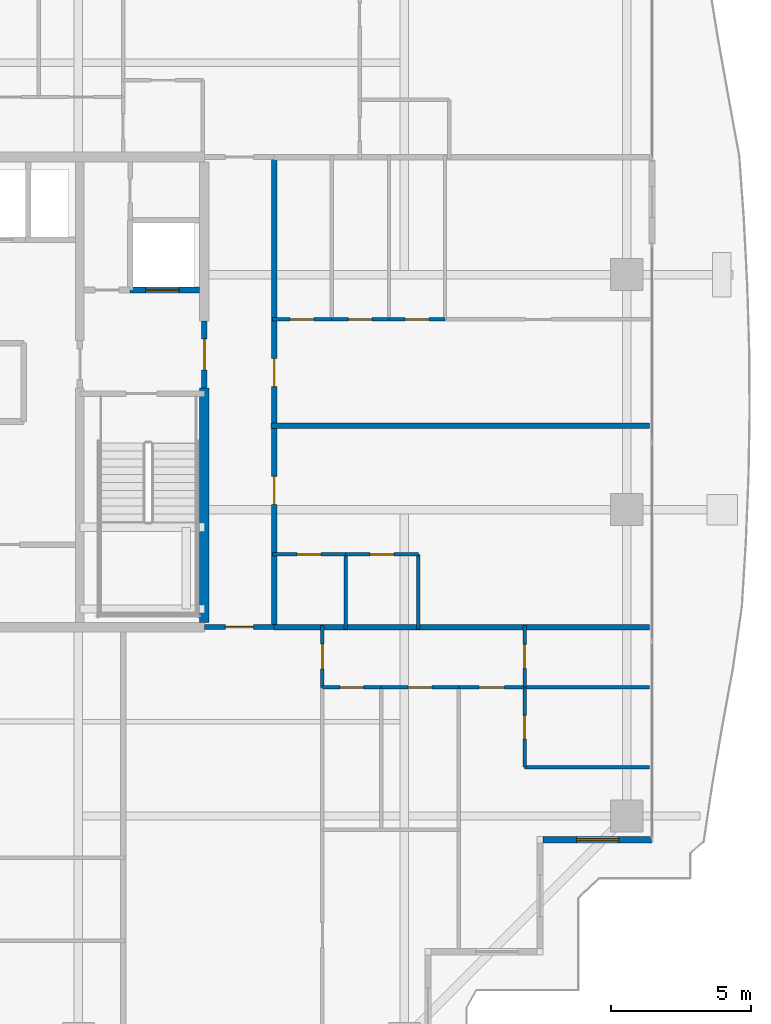
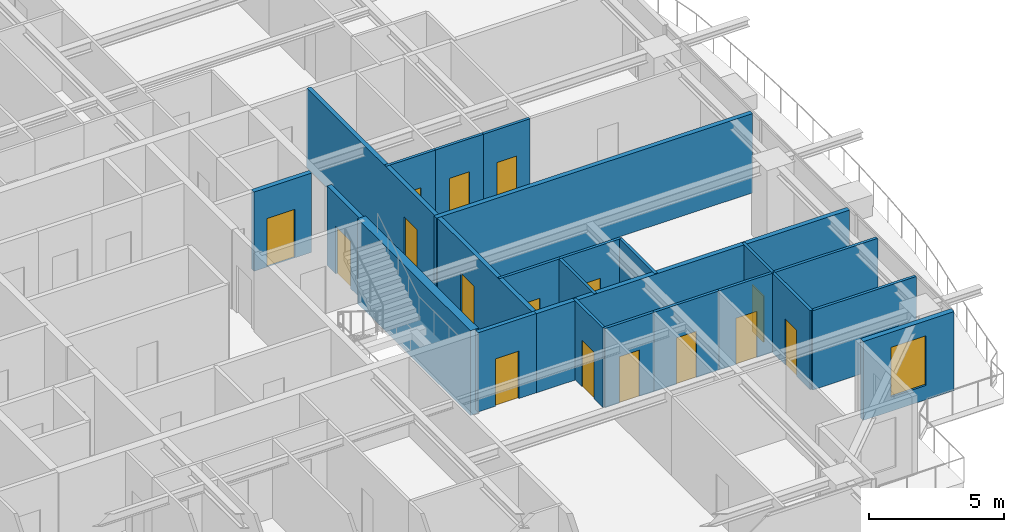
# One storey, part 28 of 38: 23 walls, 16 doors, 1 window, 17 openings.
"""IFC4 building model written with IfcOpenShell, lengths in metres."""

from ifc_helpers import new_model, si_unit, direction, frame, frame_2d, origin, place, context, subcontext, project, spatial, rectangle, extrude, source, transform, mapped, material, layer, layer_set, type_object, element, fill, save


model = new_model("IFC4")

# Units and contexts
model_context = context("Model", 3, precision=1e-05, world=origin(), true_north=direction((0.0, 1.0)))
body_context = subcontext(model_context, "Body", "Model", "MODEL_VIEW")
ifc_project = project(units=[si_unit("LENGTHUNIT", "METRE"), si_unit("AREAUNIT", "SQUARE_METRE"), si_unit("VOLUMEUNIT", "CUBIC_METRE"), si_unit("PLANEANGLEUNIT", "RADIAN"), si_unit("MASSUNIT", "GRAM", prefix="KILO")], contexts=[model_context])

# Site, building, storey
site_placement = place(None, origin())
site = spatial("IfcSite", under=ifc_project, at=site_placement, CompositionType="ELEMENT")
building_placement = place(site_placement, origin())
building = spatial("IfcBuilding", under=site, at=building_placement, Name="Serunith Strait Residences", CompositionType="ELEMENT")
storey_placement = place(building_placement, frame((0.0, 0.0, 229.699951171875)))
storey = spatial("IfcBuildingStorey", under=building, at=storey_placement, Name="L57", CompositionType="ELEMENT", Elevation=229.699951171875)

# Wall, opening, window
ifc_material_1 = material(Name="Pale-Champagne Aluminium Insulated Panel", Category="aluminium")
ifc_layer_1 = layer(ifc_material_1, 0.219970703125, Name="Pale-Champagne Aluminium Insulated Panel")
ifc_layer_set_1 = layer_set([ifc_layer_1], Name="Pale-Champagne Aluminium Insulated Panel")
wall_type_1 = type_object("IfcWallType", Name="EW-ALUM-220", PredefinedType="ELEMENTEDWALL", material=ifc_layer_set_1)
wall_1_placement = place(storey_placement, frame((53.510009765625, 9.199951171875, 0.0), z_axis=(0.0, 0.0, 1.0), x_axis=(1.0, 0.0, 0.0)))
wall_1 = element("IfcWall", 1, at=wall_1_placement, inside=storey, type_object=wall_type_1, Name="L57 Girih Serrated Corner Wall 05", PredefinedType="ELEMENTEDWALL", context=body_context, shape_type="SweptSolid", body=[
    extrude(rectangle(XDim=3.889892578125, YDim=0.219970703125, at=frame_2d((1.94482421875, 0.0))), origin(), (0.0, 0.0, 1.0), 3.574951171875),
])
opening_1_placement = place(wall_1_placement, frame((1.195068359375, 0.0, 0.64990234375)))
opening_1 = element("IfcOpeningElement", 2, at=opening_1_placement, cuts=wall_1, Name="Opening W-05", PredefinedType="OPENING", context=body_context, shape_type="SweptSolid", body=[
    extrude(rectangle(XDim=1.5, YDim=2.25, at=frame_2d((0.75, 1.125))), frame((0.0, 0.1201171875, 0.0), z_axis=(0.0, -1.0, 0.0), x_axis=(1.0, 0.0, 0.0)), (0.0, 0.0, 1.0), 0.239990234375),
])
ifc_material_2 = material(Name="Ceramic-Fritted Operable Aluminium Window Glass", Category="aluminium")
window_type = type_object("IfcWindowType", Name="WIN-C5", PartitioningType="DOUBLE_PANEL_VERTICAL", PredefinedType="WINDOW", material=ifc_material_2)
shared_shape_1 = source(origin(), body_context, "Body", "SweptSolid", [
    extrude(rectangle(XDim=1.5, YDim=2.25, at=frame_2d((0.75, 1.125))), frame((0.0, 0.030029296875, 0.0), z_axis=(0.0, -1.0, 0.0), x_axis=(1.0, 0.0, 0.0)), (0.0, 0.0, 1.0), 0.06005859375),
])
window_placement = place(opening_1_placement, origin())
window = element("IfcWindow", 3, at=window_placement, inside=storey, type_object=window_type, Name="L57 Corner Operable Fritted Window 05", OverallHeight=2.25, OverallWidth=1.5, PartitioningType="SINGLE_PANEL", PredefinedType="WINDOW", context=body_context, shape_type="MappedRepresentation", body=[
    mapped(shared_shape_1, transform((0.0, 0.0, 0.0), scale=1.0)),
])
fill(opening_1, window)

# Wall, opening, door
ifc_material_3 = material(Name="Fire-rated acoustic gypsum partition")
ifc_layer_2 = layer(ifc_material_3, 0.179931640625, Name="Fire-rated acoustic gypsum partition")
ifc_layer_set_2 = layer_set([ifc_layer_2], Name="Fire-rated acoustic gypsum partition")
wall_type_2 = type_object("IfcWallType", Name="IW-CORR-180", PredefinedType="PARTITIONING", material=ifc_layer_set_2)
wall_2_placement = place(storey_placement, frame((41.402099609375, 16.800048828125, 0.0), z_axis=(0.0, 0.0, 1.0), x_axis=(1.0, 0.0, 0.0)))
wall_2 = element("IfcWall", 4, at=wall_2_placement, inside=storey, type_object=wall_type_2, Name="L57 Partition Wall 029", PredefinedType="PARTITIONING", context=body_context, shape_type="SweptSolid", body=[
    extrude(rectangle(XDim=2.495849609375, YDim=0.179931640625, at=frame_2d((1.248046875, 0.0))), origin(), (0.0, 0.0, 1.0), 3.590087890625),
])
opening_2_placement = place(wall_2_placement, frame((0.748046875, 0.0, 0.0)))
opening_2 = element("IfcOpeningElement", 5, at=opening_2_placement, cuts=wall_2, Name="Opening D-APT1000", PredefinedType="OPENING", context=body_context, shape_type="SweptSolid", body=[
    extrude(rectangle(XDim=1.0, YDim=2.14990234375, at=frame_2d((0.5, 1.074951171875))), frame((0.0, 0.10009765625, 0.0), z_axis=(0.0, -1.0, 0.0), x_axis=(1.0, 0.0, 0.0)), (0.0, 0.0, 1.0), 0.199951171875),
])
ifc_material_4 = material(Name="Solid timber engineered fire door", Category="wood")
door_type_1 = type_object("IfcDoorType", Name="ID-APT-1000", OperationType="NOTDEFINED", PredefinedType="DOOR", material=ifc_material_4)
shared_shape_2 = source(origin(), body_context, "Body", "SweptSolid", [
    extrude(rectangle(XDim=1.0, YDim=2.14990234375, at=frame_2d((0.5, 1.074951171875))), frame((0.0, 0.02490234375, 0.0), z_axis=(0.0, -1.0, 0.0), x_axis=(1.0, 0.0, 0.0)), (0.0, 0.0, 1.0), 0.050048828125),
])
door_1_placement = place(opening_2_placement, origin())
door_1 = element("IfcDoor", 6, at=door_1_placement, inside=storey, type_object=door_type_1, Name="L57 Unit 02 Entrance Door", OperationType="SINGLE_SWING_LEFT", OverallHeight=2.14990234375, OverallWidth=1.0, PredefinedType="DOOR", context=body_context, shape_type="MappedRepresentation", body=[
    mapped(shared_shape_2, transform((0.0, 0.0, 0.0), scale=1.0)),
])
fill(opening_2, door_1)

# Wall, openings, doors
wall_3_placement = place(storey_placement, frame((43.89990234375, 16.800048828125, 0.0), z_axis=(0.0, 0.0, 1.0), x_axis=(0.0, 1.0, 0.0)))
wall_3 = element("IfcWall", 7, at=wall_3_placement, inside=storey, type_object=wall_type_2, Name="L57 Partition Wall 031", PredefinedType="PARTITIONING", context=body_context, shape_type="SweptSolid", body=[
    extrude(rectangle(XDim=16.800048828125, YDim=0.179931640625, at=frame_2d((8.39990234375, 0.0))), origin(), (0.0, 0.0, 1.0), 3.590087890625),
])
opening_3_placement = place(wall_3_placement, frame((4.39208984375, 0.0, 0.0)))
opening_3 = element("IfcOpeningElement", 8, at=opening_3_placement, cuts=wall_3, Name="Opening D-APT1000", PredefinedType="OPENING", context=body_context, shape_type="SweptSolid", body=[
    extrude(rectangle(XDim=1.0, YDim=2.14990234375, at=frame_2d((0.5, 1.074951171875))), frame((0.0, 0.10009765625, 0.0), z_axis=(0.0, -1.0, 0.0), x_axis=(1.0, 0.0, 0.0)), (0.0, 0.0, 1.0), 0.199951171875),
])
opening_4_placement = place(wall_3_placement, frame((8.594970703125, 0.0, 0.0)))
opening_4 = element("IfcOpeningElement", 9, at=opening_4_placement, cuts=wall_3, Name="Opening D-APT1000", PredefinedType="OPENING", context=body_context, shape_type="SweptSolid", body=[
    extrude(rectangle(XDim=1.0, YDim=2.14990234375, at=frame_2d((0.5, 1.074951171875))), frame((0.0, 0.10009765625, 0.0), z_axis=(0.0, -1.0, 0.0), x_axis=(1.0, 0.0, 0.0)), (0.0, 0.0, 1.0), 0.199951171875),
])
door_2_placement = place(opening_3_placement, origin())
door_2 = element("IfcDoor", 10, at=door_2_placement, inside=storey, type_object=door_type_1, Name="L57 Unit 07 Entrance Door", OperationType="SINGLE_SWING_LEFT", OverallHeight=2.14990234375, OverallWidth=1.0, PredefinedType="DOOR", context=body_context, shape_type="MappedRepresentation", body=[
    mapped(shared_shape_2, transform((0.0, 0.0, 0.0), scale=1.0)),
])
fill(opening_3, door_2)
door_3_placement = place(opening_4_placement, origin())
door_3 = element("IfcDoor", 11, at=door_3_placement, inside=storey, type_object=door_type_1, Name="L57 Unit 08 Entrance Door", OperationType="SINGLE_SWING_RIGHT", OverallHeight=2.14990234375, OverallWidth=1.0, PredefinedType="DOOR", context=body_context, shape_type="MappedRepresentation", body=[
    mapped(shared_shape_2, transform((0.0, 0.0, 0.0), scale=1.0)),
])
fill(opening_4, door_3)

# Wall, opening, door
ifc_material_5 = material(Name="Lightweight steel-stud gypsum partition", Category="steel")
ifc_layer_3 = layer(ifc_material_5, 0.1201171875, Name="Lightweight steel-stud gypsum partition")
ifc_layer_set_3 = layer_set([ifc_layer_3], Name="Lightweight steel-stud gypsum partition")
wall_type_3 = type_object("IfcWallType", Name="IW-PART-120", PredefinedType="PARTITIONING", material=ifc_layer_set_3)
wall_4_placement = place(storey_placement, frame((45.6201171875, 14.64990234375, 0.0), z_axis=(0.0, 0.0, 1.0), x_axis=(0.0, 1.0, 0.0)))
wall_4 = element("IfcWall", 12, at=wall_4_placement, inside=storey, type_object=wall_type_3, Name="L57 Partition Wall 054", PredefinedType="PARTITIONING", context=body_context, shape_type="SweptSolid", body=[
    extrude(rectangle(XDim=2.210205078125, YDim=0.1201171875, at=frame_2d((1.10498046875, 0.0))), origin(), (0.0, 0.0, 1.0), 3.590087890625),
])
opening_5_placement = place(wall_4_placement, frame((0.655029296875, 0.0, 0.0)))
opening_5 = element("IfcOpeningElement", 13, at=opening_5_placement, cuts=wall_4, Name="Opening D-RM900", PredefinedType="OPENING", context=body_context, shape_type="SweptSolid", body=[
    extrude(rectangle(XDim=0.89990234375, YDim=2.10009765625, at=frame_2d((0.449951171875, 1.050048828125))), frame((0.0, 0.070068359375, 0.0), z_axis=(0.0, -1.0, 0.0), x_axis=(1.0, 0.0, 0.0)), (0.0, 0.0, 1.0), 0.14013671875),
])
ifc_material_6 = material(Name="Engineered timber flush bedroom door", Category="wood")
door_type_2 = type_object("IfcDoorType", Name="ID-ROOM-900", OperationType="NOTDEFINED", PredefinedType="DOOR", material=ifc_material_6)
shared_shape_3 = source(origin(), body_context, "Body", "SweptSolid", [
    extrude(rectangle(XDim=0.89990234375, YDim=2.10009765625, at=frame_2d((0.449951171875, 1.050048828125))), frame((0.0, 0.02490234375, 0.0), z_axis=(0.0, -1.0, 0.0), x_axis=(1.0, 0.0, 0.0)), (0.0, 0.0, 1.0), 0.050048828125),
])
door_4_placement = place(opening_5_placement, origin())
door_4 = element("IfcDoor", 14, at=door_4_placement, inside=storey, type_object=door_type_2, Name="L57 Hall E 5702 Door", OperationType="SINGLE_SWING_RIGHT", OverallHeight=2.10009765625, OverallWidth=0.89990234375, PredefinedType="DOOR", context=body_context, shape_type="MappedRepresentation", body=[
    mapped(shared_shape_3, transform((0.0, 0.0, 0.0), scale=1.0)),
])
fill(opening_5, door_4)

wall_5_placement = place(storey_placement, frame((45.6201171875, 14.64990234375, 0.0), z_axis=(0.0, 0.0, 1.0), x_axis=(1.0, 0.0, 0.0)))
wall_5 = element("IfcWall", 15, at=wall_5_placement, inside=storey, type_object=wall_type_3, Name="L57 Partition Wall 060", PredefinedType="PARTITIONING", context=body_context, shape_type="SweptSolid", body=[
    extrude(rectangle(XDim=2.099853515625, YDim=0.1201171875, at=frame_2d((1.0498046875, 0.0))), origin(), (0.0, 0.0, 1.0), 3.590087890625),
])
opening_6_placement = place(wall_5_placement, frame((0.625, 0.0, 0.0)))
opening_6 = element("IfcOpeningElement", 16, at=opening_6_placement, cuts=wall_5, Name="Opening D-BTH850", PredefinedType="OPENING", context=body_context, shape_type="SweptSolid", body=[
    extrude(rectangle(XDim=0.85009765625, YDim=2.10009765625, at=frame_2d((0.425048828125, 1.050048828125))), frame((0.0, 0.070068359375, 0.0), z_axis=(0.0, -1.0, 0.0), x_axis=(1.0, 0.0, 0.0)), (0.0, 0.0, 1.0), 0.14013671875),
])
ifc_material_7 = material(Name="Moisture-resistant timber bathroom door", Category="wood")
door_type_3 = type_object("IfcDoorType", Name="ID-BATH-850", OperationType="NOTDEFINED", PredefinedType="DOOR", material=ifc_material_7)
shared_shape_4 = source(origin(), body_context, "Body", "SweptSolid", [
    extrude(rectangle(XDim=0.85009765625, YDim=2.10009765625, at=frame_2d((0.425048828125, 1.050048828125))), frame((0.0, 0.02490234375, 0.0), z_axis=(0.0, -1.0, 0.0), x_axis=(1.0, 0.0, 0.0)), (0.0, 0.0, 1.0), 0.050048828125),
])
door_5_placement = place(opening_6_placement, origin())
door_5 = element("IfcDoor", 17, at=door_5_placement, inside=storey, type_object=door_type_3, Name="L57 Bathroom 5702 Door", OperationType="SINGLE_SWING_RIGHT", OverallHeight=2.10009765625, OverallWidth=0.85009765625, PredefinedType="DOOR", context=body_context, shape_type="MappedRepresentation", body=[
    mapped(shared_shape_4, transform((0.0, 0.0, 0.0), scale=1.0)),
])
fill(opening_6, door_5)

wall_6_placement = place(storey_placement, frame((47.721923828125, 14.64990234375, 0.0), z_axis=(0.0, 0.0, 1.0), x_axis=(1.0, 0.0, 0.0)))
wall_6 = element("IfcWall", 18, at=wall_6_placement, inside=storey, type_object=wall_type_3, Name="L57 Partition Wall 061", PredefinedType="PARTITIONING", context=body_context, shape_type="SweptSolid", body=[
    extrude(rectangle(XDim=2.778076171875, YDim=0.1201171875, at=frame_2d((1.38916015625, 0.0))), origin(), (0.0, 0.0, 1.0), 3.590087890625),
])
opening_7_placement = place(wall_6_placement, frame((0.964111328125, 0.0, 0.0)))
opening_7 = element("IfcOpeningElement", 19, at=opening_7_placement, cuts=wall_6, Name="Opening D-RM850", PredefinedType="OPENING", context=body_context, shape_type="SweptSolid", body=[
    extrude(rectangle(XDim=0.85009765625, YDim=2.10009765625, at=frame_2d((0.425048828125, 1.050048828125))), frame((0.0, 0.070068359375, 0.0), z_axis=(0.0, -1.0, 0.0), x_axis=(1.0, 0.0, 0.0)), (0.0, 0.0, 1.0), 0.14013671875),
])
ifc_material_8 = material(Name="Engineered timber flush study and kitchen door", Category="wood")
door_type_4 = type_object("IfcDoorType", Name="ID-ROOM-850", OperationType="NOTDEFINED", PredefinedType="DOOR", material=ifc_material_8)
door_6_placement = place(opening_7_placement, origin())
door_6 = element("IfcDoor", 20, at=door_6_placement, inside=storey, type_object=door_type_4, Name="L57 Kitchen 5702 Door", OperationType="SINGLE_SWING_LEFT", OverallHeight=2.10009765625, OverallWidth=0.85009765625, PredefinedType="DOOR", context=body_context, shape_type="MappedRepresentation", body=[
    mapped(shared_shape_4, transform((0.0, 0.0, 0.0), scale=1.0)),
])
fill(opening_7, door_6)

wall_7_placement = place(storey_placement, frame((50.501953125, 14.64990234375, 0.0), z_axis=(0.0, 0.0, 1.0), x_axis=(1.0, 0.0, 0.0)))
wall_7 = element("IfcWall", 21, at=wall_7_placement, inside=storey, type_object=wall_type_3, Name="L57 Partition Wall 062", PredefinedType="PARTITIONING", context=body_context, shape_type="SweptSolid", body=[
    extrude(rectangle(XDim=2.34814453125, YDim=0.1201171875, at=frame_2d((1.174072265625, 0.0))), origin(), (0.0, 0.0, 1.0), 3.590087890625),
])
opening_8_placement = place(wall_7_placement, frame((0.72412109375, 0.0, 0.0)))
opening_8 = element("IfcOpeningElement", 22, at=opening_8_placement, cuts=wall_7, Name="Opening D-RM900", PredefinedType="OPENING", context=body_context, shape_type="SweptSolid", body=[
    extrude(rectangle(XDim=0.89990234375, YDim=2.10009765625, at=frame_2d((0.449951171875, 1.050048828125))), frame((0.0, 0.070068359375, 0.0), z_axis=(0.0, -1.0, 0.0), x_axis=(1.0, 0.0, 0.0)), (0.0, 0.0, 1.0), 0.14013671875),
])
door_7_placement = place(opening_8_placement, origin())
door_7 = element("IfcDoor", 23, at=door_7_placement, inside=storey, type_object=door_type_2, Name="L57 Master Bedroom E 5702 Door", OperationType="SINGLE_SWING_RIGHT", OverallHeight=2.10009765625, OverallWidth=0.89990234375, PredefinedType="DOOR", context=body_context, shape_type="MappedRepresentation", body=[
    mapped(shared_shape_3, transform((0.0, 0.0, 0.0), scale=1.0)),
])
fill(opening_8, door_7)

# Walls
wall_8_placement = place(storey_placement, frame((52.85009765625, 11.79296875, 0.0), z_axis=(0.0, 0.0, 1.0), x_axis=(1.0, 0.0, 0.0)))
element("IfcWall", 24, at=wall_8_placement, inside=storey, type_object=wall_type_3, Name="L57 Partition Wall 063", PredefinedType="PARTITIONING", context=body_context, shape_type="SweptSolid", body=[
    extrude(rectangle(XDim=4.454833984375, YDim=0.1201171875, at=frame_2d((2.2275390625, 0.0))), origin(), (0.0, 0.0, 1.0), 3.590087890625),
])
wall_9_placement = place(storey_placement, frame((52.85205078125, 14.64990234375, 0.0), z_axis=(0.0, 0.0, 1.0), x_axis=(1.0, 0.0, 0.0)))
element("IfcWall", 25, at=wall_9_placement, inside=storey, type_object=wall_type_3, Name="L57 Partition Wall 064", PredefinedType="PARTITIONING", context=body_context, shape_type="SweptSolid", body=[
    extrude(rectangle(XDim=4.452880859375, YDim=0.1201171875, at=frame_2d((2.2265625, 0.0))), origin(), (0.0, 0.0, 1.0), 3.590087890625),
])

# Wall, opening, door
wall_10_placement = place(storey_placement, frame((52.85009765625, 11.79296875, 0.0), z_axis=(0.0, 0.0, 1.0), x_axis=(0.0, 1.0, 0.0)))
wall_10 = element("IfcWall", 26, at=wall_10_placement, inside=storey, type_object=wall_type_3, Name="L57 Partition Wall 065", PredefinedType="PARTITIONING", context=body_context, shape_type="SweptSolid", body=[
    extrude(rectangle(XDim=2.85693359375, YDim=0.1201171875, at=frame_2d((1.428466796875, 0.0))), origin(), (0.0, 0.0, 1.0), 3.590087890625),
])
opening_9_placement = place(wall_10_placement, frame((1.00390625, 0.0, 0.0)))
opening_9 = element("IfcOpeningElement", 27, at=opening_9_placement, cuts=wall_10, Name="Opening D-BTH850", PredefinedType="OPENING", context=body_context, shape_type="SweptSolid", body=[
    extrude(rectangle(XDim=0.85009765625, YDim=2.10009765625, at=frame_2d((0.425048828125, 1.050048828125))), frame((0.0, 0.070068359375, 0.0), z_axis=(0.0, -1.0, 0.0), x_axis=(1.0, 0.0, 0.0)), (0.0, 0.0, 1.0), 0.14013671875),
])
door_8_placement = place(opening_9_placement, origin())
door_8 = element("IfcDoor", 28, at=door_8_placement, inside=storey, type_object=door_type_3, Name="L57 En-suite Bathroom E 5702 Door", OperationType="SINGLE_SWING_LEFT", OverallHeight=2.10009765625, OverallWidth=0.85009765625, PredefinedType="DOOR", context=body_context, shape_type="MappedRepresentation", body=[
    mapped(shared_shape_4, transform((0.0, 0.0, 0.0), scale=1.0)),
])
fill(opening_9, door_8)

wall_11_placement = place(storey_placement, frame((52.85009765625, 14.652099609375, 0.0), z_axis=(0.0, 0.0, 1.0), x_axis=(0.0, 1.0, 0.0)))
wall_11 = element("IfcWall", 29, at=wall_11_placement, inside=storey, type_object=wall_type_3, Name="L57 Partition Wall 066", PredefinedType="PARTITIONING", context=body_context, shape_type="SweptSolid", body=[
    extrude(rectangle(XDim=2.2080078125, YDim=0.1201171875, at=frame_2d((1.10400390625, 0.0))), origin(), (0.0, 0.0, 1.0), 3.590087890625),
])
opening_10_placement = place(wall_11_placement, frame((0.678955078125, 0.0, 0.0)))
opening_10 = element("IfcOpeningElement", 30, at=opening_10_placement, cuts=wall_11, Name="Opening D-RM850", PredefinedType="OPENING", context=body_context, shape_type="SweptSolid", body=[
    extrude(rectangle(XDim=0.85009765625, YDim=2.10009765625, at=frame_2d((0.425048828125, 1.050048828125))), frame((0.0, 0.070068359375, 0.0), z_axis=(0.0, -1.0, 0.0), x_axis=(1.0, 0.0, 0.0)), (0.0, 0.0, 1.0), 0.14013671875),
])
door_9_placement = place(opening_10_placement, origin())
door_9 = element("IfcDoor", 31, at=door_9_placement, inside=storey, type_object=door_type_4, Name="L57 Wardrobe E 5702 Door", OperationType="SINGLE_SWING_RIGHT", OverallHeight=2.10009765625, OverallWidth=0.85009765625, PredefinedType="DOOR", context=body_context, shape_type="MappedRepresentation", body=[
    mapped(shared_shape_4, transform((0.0, 0.0, 0.0), scale=1.0)),
])
fill(opening_10, door_9)

wall_12_placement = place(storey_placement, frame((49.050048828125, 19.39990234375, 0.0), z_axis=(0.0, 0.0, 1.0), x_axis=(-1.0, 0.0, 0.0)))
wall_12 = element("IfcWall", 32, at=wall_12_placement, inside=storey, type_object=wall_type_3, Name="L57 Partition Wall 110", PredefinedType="PARTITIONING", context=body_context, shape_type="SweptSolid", body=[
    extrude(rectangle(XDim=2.60009765625, YDim=0.1201171875, at=frame_2d((1.300048828125, 0.0))), origin(), (0.0, 0.0, 1.0), 3.590087890625),
])
opening_11_placement = place(wall_12_placement, frame((0.875, 0.0, 0.0)))
opening_11 = element("IfcOpeningElement", 33, at=opening_11_placement, cuts=wall_12, Name="Opening D-RM850", PredefinedType="OPENING", context=body_context, shape_type="SweptSolid", body=[
    extrude(rectangle(XDim=0.85009765625, YDim=2.10009765625, at=frame_2d((0.425048828125, 1.050048828125))), frame((0.0, 0.070068359375, 0.0), z_axis=(0.0, -1.0, 0.0), x_axis=(1.0, 0.0, 0.0)), (0.0, 0.0, 1.0), 0.14013671875),
])
door_10_placement = place(opening_11_placement, origin())
door_10 = element("IfcDoor", 34, at=door_10_placement, inside=storey, type_object=door_type_4, Name="L57 Kitchen 5707 Door", OperationType="SINGLE_SWING_LEFT", OverallHeight=2.10009765625, OverallWidth=0.85009765625, PredefinedType="DOOR", context=body_context, shape_type="MappedRepresentation", body=[
    mapped(shared_shape_4, transform((0.0, 0.0, 0.0), scale=1.0)),
])
fill(opening_11, door_10)

wall_13_placement = place(storey_placement, frame((46.447998046875, 19.39990234375, 0.0), z_axis=(0.0, 0.0, 1.0), x_axis=(-1.0, 0.0, 0.0)))
wall_13 = element("IfcWall", 35, at=wall_13_placement, inside=storey, type_object=wall_type_3, Name="L57 Partition Wall 111", PredefinedType="PARTITIONING", context=body_context, shape_type="SweptSolid", body=[
    extrude(rectangle(XDim=2.60791015625, YDim=0.1201171875, at=frame_2d((1.303955078125, 0.0))), origin(), (0.0, 0.0, 1.0), 3.590087890625),
])
opening_12_placement = place(wall_13_placement, frame((0.87890625, 0.0, 0.0)))
opening_12 = element("IfcOpeningElement", 36, at=opening_12_placement, cuts=wall_13, Name="Opening D-BTH850", PredefinedType="OPENING", context=body_context, shape_type="SweptSolid", body=[
    extrude(rectangle(XDim=0.85009765625, YDim=2.10009765625, at=frame_2d((0.425048828125, 1.050048828125))), frame((0.0, 0.070068359375, 0.0), z_axis=(0.0, -1.0, 0.0), x_axis=(1.0, 0.0, 0.0)), (0.0, 0.0, 1.0), 0.14013671875),
])
door_11_placement = place(opening_12_placement, origin())
door_11 = element("IfcDoor", 37, at=door_11_placement, inside=storey, type_object=door_type_3, Name="L57 Bathroom 5707 Door", OperationType="SINGLE_SWING_RIGHT", OverallHeight=2.10009765625, OverallWidth=0.85009765625, PredefinedType="DOOR", context=body_context, shape_type="MappedRepresentation", body=[
    mapped(shared_shape_4, transform((0.0, 0.0, 0.0), scale=1.0)),
])
fill(opening_12, door_11)

# Walls
for number, where, z_axis, x_axis, name in (
    (38, (46.449951171875, 16.739990234375, 0.0), (0.0, 0.0, 1.0), (0.0, 1.0, 0.0), "L57 Partition Wall 112"),
    (39, (49.050048828125, 16.739990234375, 0.0), (0.0, 0.0, 1.0), (0.0, 1.0, 0.0), "L57 Partition Wall 113"),
):
    element("IfcWall", number, at=place(storey_placement, frame(where, z_axis=z_axis, x_axis=x_axis)), inside=storey, type_object=wall_type_3, Name=name, PredefinedType="PARTITIONING", context=body_context, shape_type="SweptSolid", body=[
        extrude(rectangle(XDim=2.659912109375, YDim=0.1201171875, at=frame_2d((1.330078125, 0.0))), origin(), (0.0, 0.0, 1.0), 3.590087890625),
    ])

# Wall, opening, door
wall_14_placement = place(storey_placement, frame((50.0009765625, 27.800048828125, 0.0), z_axis=(0.0, 0.0, 1.0), x_axis=(-1.0, 0.0, 0.0)))
wall_14 = element("IfcWall", 40, at=wall_14_placement, inside=storey, type_object=wall_type_3, Name="L57 Partition Wall 118", PredefinedType="PARTITIONING", context=body_context, shape_type="SweptSolid", body=[
    extrude(rectangle(XDim=1.998046875, YDim=0.1201171875, at=frame_2d((0.9990234375, 0.0))), origin(), (0.0, 0.0, 1.0), 3.590087890625),
])
opening_13_placement = place(wall_14_placement, frame((0.573974609375, 0.0, 0.0)))
opening_13 = element("IfcOpeningElement", 41, at=opening_13_placement, cuts=wall_14, Name="Opening D-RM850", PredefinedType="OPENING", context=body_context, shape_type="SweptSolid", body=[
    extrude(rectangle(XDim=0.85009765625, YDim=2.10009765625, at=frame_2d((0.425048828125, 1.050048828125))), frame((0.0, 0.070068359375, 0.0), z_axis=(0.0, -1.0, 0.0), x_axis=(1.0, 0.0, 0.0)), (0.0, 0.0, 1.0), 0.14013671875),
])
door_12_placement = place(opening_13_placement, origin())
door_12 = element("IfcDoor", 42, at=door_12_placement, inside=storey, type_object=door_type_4, Name="L57 Dining 5708 Door", OperationType="SINGLE_SWING_RIGHT", OverallHeight=2.10009765625, OverallWidth=0.85009765625, PredefinedType="DOOR", context=body_context, shape_type="MappedRepresentation", body=[
    mapped(shared_shape_4, transform((0.0, 0.0, 0.0), scale=1.0)),
])
fill(opening_13, door_12)

wall_15_placement = place(storey_placement, frame((48.0009765625, 27.800048828125, 0.0), z_axis=(0.0, 0.0, 1.0), x_axis=(-1.0, 0.0, 0.0)))
wall_15 = element("IfcWall", 43, at=wall_15_placement, inside=storey, type_object=wall_type_3, Name="L57 Partition Wall 119", PredefinedType="PARTITIONING", context=body_context, shape_type="SweptSolid", body=[
    extrude(rectangle(XDim=2.051025390625, YDim=0.1201171875, at=frame_2d((1.025390625, 0.0))), origin(), (0.0, 0.0, 1.0), 3.590087890625),
])
opening_14_placement = place(wall_15_placement, frame((0.60009765625, 0.0, 0.0)))
opening_14 = element("IfcOpeningElement", 44, at=opening_14_placement, cuts=wall_15, Name="Opening D-RM850", PredefinedType="OPENING", context=body_context, shape_type="SweptSolid", body=[
    extrude(rectangle(XDim=0.85009765625, YDim=2.10009765625, at=frame_2d((0.425048828125, 1.050048828125))), frame((0.0, 0.070068359375, 0.0), z_axis=(0.0, -1.0, 0.0), x_axis=(1.0, 0.0, 0.0)), (0.0, 0.0, 1.0), 0.14013671875),
])
door_13_placement = place(opening_14_placement, origin())
door_13 = element("IfcDoor", 45, at=door_13_placement, inside=storey, type_object=door_type_4, Name="L57 Kitchen 5708 Door", OperationType="SINGLE_SWING_LEFT", OverallHeight=2.10009765625, OverallWidth=0.85009765625, PredefinedType="DOOR", context=body_context, shape_type="MappedRepresentation", body=[
    mapped(shared_shape_4, transform((0.0, 0.0, 0.0), scale=1.0)),
])
fill(opening_14, door_13)

wall_16_placement = place(storey_placement, frame((45.947998046875, 27.800048828125, 0.0), z_axis=(0.0, 0.0, 1.0), x_axis=(-1.0, 0.0, 0.0)))
wall_16 = element("IfcWall", 46, at=wall_16_placement, inside=storey, type_object=wall_type_3, Name="L57 Partition Wall 120", PredefinedType="PARTITIONING", context=body_context, shape_type="SweptSolid", body=[
    extrude(rectangle(XDim=2.10791015625, YDim=0.1201171875, at=frame_2d((1.053955078125, 0.0))), origin(), (0.0, 0.0, 1.0), 3.590087890625),
])
opening_15_placement = place(wall_16_placement, frame((0.62890625, 0.0, 0.0)))
opening_15 = element("IfcOpeningElement", 47, at=opening_15_placement, cuts=wall_16, Name="Opening D-BTH850", PredefinedType="OPENING", context=body_context, shape_type="SweptSolid", body=[
    extrude(rectangle(XDim=0.85009765625, YDim=2.10009765625, at=frame_2d((0.425048828125, 1.050048828125))), frame((0.0, 0.070068359375, 0.0), z_axis=(0.0, -1.0, 0.0), x_axis=(1.0, 0.0, 0.0)), (0.0, 0.0, 1.0), 0.14013671875),
])
door_14_placement = place(opening_15_placement, origin())
door_14 = element("IfcDoor", 48, at=door_14_placement, inside=storey, type_object=door_type_3, Name="L57 Bathroom 5708 Door", OperationType="SINGLE_SWING_RIGHT", OverallHeight=2.10009765625, OverallWidth=0.85009765625, PredefinedType="DOOR", context=body_context, shape_type="MappedRepresentation", body=[
    mapped(shared_shape_4, transform((0.0, 0.0, 0.0), scale=1.0)),
])
fill(opening_15, door_14)

# Walls
ifc_material_9 = material(Name="Twin-stud acoustic gypsum board partition")
ifc_layer_4 = layer(ifc_material_9, 0.199951171875, Name="Twin-stud acoustic gypsum board partition")
ifc_layer_set_4 = layer_set([ifc_layer_4], Name="Twin-stud acoustic gypsum board partition")
wall_type_4 = type_object("IfcWallType", Name="IW-PARTY-200", PredefinedType="PARTITIONING", material=ifc_layer_set_4)
wall_17_placement = place(storey_placement, frame((43.780029296875, 24.0, 0.0), z_axis=(0.0, 0.0, 1.0), x_axis=(1.0, 0.0, 0.0)))
element("IfcWall", 49, at=wall_17_placement, inside=storey, type_object=wall_type_4, Name="L57 Partition Wall 021", PredefinedType="PARTITIONING", context=body_context, shape_type="SweptSolid", body=[
    extrude(rectangle(XDim=13.5380859375, YDim=0.199951171875, at=frame_2d((6.76904296875, 0.0))), origin(), (0.0, 0.0, 1.0), 3.590087890625),
])
wall_18_placement = place(storey_placement, frame((43.89990234375, 16.800048828125, 0.0), z_axis=(0.0, 0.0, 1.0), x_axis=(1.0, 0.0, 0.0)))
element("IfcWall", 50, at=wall_18_placement, inside=storey, type_object=wall_type_4, Name="L57 Partition Wall 023", PredefinedType="PARTITIONING", context=body_context, shape_type="SweptSolid", body=[
    extrude(rectangle(XDim=13.418212890625, YDim=0.199951171875, at=frame_2d((6.708984375, 0.0))), origin(), (0.0, 0.0, 1.0), 3.590087890625),
])

# Wall, opening, door
ifc_material_10 = material(Name="Autoclaved aerated concrete blockwork", Category="masonry")
ifc_layer_5 = layer(ifc_material_10, 0.199951171875, Name="Autoclaved aerated concrete blockwork")
ifc_layer_set_5 = layer_set([ifc_layer_5], Name="Autoclaved aerated concrete blockwork")
wall_type_5 = type_object("IfcWallType", Name="IW-SHAFT-200", PredefinedType="STANDARD", material=ifc_layer_set_5)
wall_19_placement = place(storey_placement, frame((38.75, 28.85009765625, 0.0), z_axis=(0.0, 0.0, 1.0), x_axis=(1.0, 0.0, 0.0)))
wall_19 = element("IfcWall", 51, at=wall_19_placement, inside=storey, type_object=wall_type_5, Name="L57 FL-2 South Shaft Wall", PredefinedType="STANDARD", context=body_context, shape_type="SweptSolid", body=[
    extrude(rectangle(XDim=2.47509765625, YDim=0.199951171875, at=frame_2d((1.237548828125, 0.0))), origin(), (0.0, 0.0, 1.0), 3.590087890625),
])
opening_16_placement = place(wall_19_placement, frame((0.550048828125, 0.0, 0.0)))
opening_16 = element("IfcOpeningElement", 52, at=opening_16_placement, cuts=wall_19, Name="Opening LD-FF1200", PredefinedType="OPENING", context=body_context, shape_type="SweptSolid", body=[
    extrude(rectangle(XDim=1.199951171875, YDim=2.199951171875, at=frame_2d((0.60009765625, 1.10009765625))), frame((0.0, 0.10986328125, 0.0), z_axis=(0.0, -1.0, 0.0), x_axis=(1.0, 0.0, 0.0)), (0.0, 0.0, 1.0), 0.219970703125),
])
ifc_material_11 = material(Name="Brushed stainless steel landing door", Category="steel")
door_type_5 = type_object("IfcDoorType", Name="LD-FF-1200", OperationType="DOUBLE_DOOR_SLIDING", PredefinedType="DOOR", material=ifc_material_11)
shared_shape_5 = source(origin(), body_context, "Body", "SweptSolid", [
    extrude(rectangle(XDim=1.199951171875, YDim=2.199951171875, at=frame_2d((0.60009765625, 1.10009765625))), frame((0.0, 0.02490234375, 0.0), z_axis=(0.0, -1.0, 0.0), x_axis=(1.0, 0.0, 0.0)), (0.0, 0.0, 1.0), 0.050048828125),
])
door_15_placement = place(opening_16_placement, origin())
door_15 = element("IfcDoor", 53, at=door_15_placement, inside=storey, type_object=door_type_5, Name="L57 FL-2 Landing Door", OperationType="DOUBLE_DOOR_SLIDING", OverallHeight=2.199951171875, OverallWidth=1.199951171875, PredefinedType="DOOR", context=body_context, shape_type="MappedRepresentation", body=[
    mapped(shared_shape_5, transform((0.0, 0.0, 0.0), scale=1.0)),
])
fill(opening_16, door_15)

wall_20_placement = place(storey_placement, frame((41.39990234375, 25.35205078125, 0.0), z_axis=(0.0, 0.0, 1.0), x_axis=(0.0, 1.0, 0.0)))
wall_20 = element("IfcWall", 54, at=wall_20_placement, inside=storey, type_object=wall_type_5, Name="L57 Partition Wall 008", PredefinedType="STANDARD", context=body_context, shape_type="SweptSolid", body=[
    extrude(rectangle(XDim=2.39599609375, YDim=0.199951171875, at=frame_2d((1.197998046875, 0.0))), origin(), (0.0, 0.0, 1.0), 3.590087890625),
])
opening_17_placement = place(wall_20_placement, frame((0.64794921875, 0.0, 0.0)))
opening_17 = element("IfcOpeningElement", 55, at=opening_17_placement, cuts=wall_20, Name="Opening FD-FFL", PredefinedType="OPENING", context=body_context, shape_type="SweptSolid", body=[
    extrude(rectangle(XDim=1.10009765625, YDim=2.14990234375, at=frame_2d((0.550048828125, 1.074951171875))), frame((0.0, 0.10986328125, 0.0), z_axis=(0.0, -1.0, 0.0), x_axis=(1.0, 0.0, 0.0)), (0.0, 0.0, 1.0), 0.219970703125),
])
ifc_material_12 = material(Name="Glazed steel smoke-lobby fire door", Category="steel")
door_type_6 = type_object("IfcDoorType", Name="FD-FFL-1100", OperationType="NOTDEFINED", PredefinedType="DOOR", material=ifc_material_12)
shared_shape_6 = source(origin(), body_context, "Body", "SweptSolid", [
    extrude(rectangle(XDim=1.10009765625, YDim=2.14990234375, at=frame_2d((0.550048828125, 1.074951171875))), frame((0.0, 0.02490234375, 0.0), z_axis=(0.0, -1.0, 0.0), x_axis=(1.0, 0.0, 0.0)), (0.0, 0.0, 1.0), 0.050048828125),
])
door_16_placement = place(opening_17_placement, origin())
door_16 = element("IfcDoor", 56, at=door_16_placement, inside=storey, type_object=door_type_6, Name="L57 FFL-2 Corridor Fire Door", OperationType="SINGLE_SWING_RIGHT", OverallHeight=2.14990234375, OverallWidth=1.10009765625, PredefinedType="DOOR", context=body_context, shape_type="MappedRepresentation", body=[
    mapped(shared_shape_6, transform((0.0, 0.0, 0.0), scale=1.0)),
])
fill(opening_17, door_16)

# Wall
ifc_material_13 = material(Name="Concrete C60/75", Category="concrete")
ifc_layer_6 = layer(ifc_material_13, 0.35009765625, Name="Concrete C60/75")
ifc_layer_set_6 = layer_set([ifc_layer_6], Name="Concrete C60/75")
wall_type_6 = type_object("IfcWallType", Name="SW-350-C60", PredefinedType="SHEAR", material=ifc_layer_set_6)
wall_21_placement = place(storey_placement, frame((41.39990234375, 16.97509765625, -0.260009765625), z_axis=(0.0, 0.0, 1.0), x_axis=(0.0, 1.0, 0.0)))
element("IfcWall", 57, at=wall_21_placement, inside=storey, type_object=wall_type_6, Name="L57 Core East Shear Wall South Pier", PredefinedType="SHEAR", context=body_context, shape_type="SweptSolid", body=[
    extrude(rectangle(XDim=8.375, YDim=0.35009765625, at=frame_2d((4.1875, 0.0))), origin(), (0.0, 0.0, 1.0), 3.84814453125),
])

save(model, "model.ifc")
